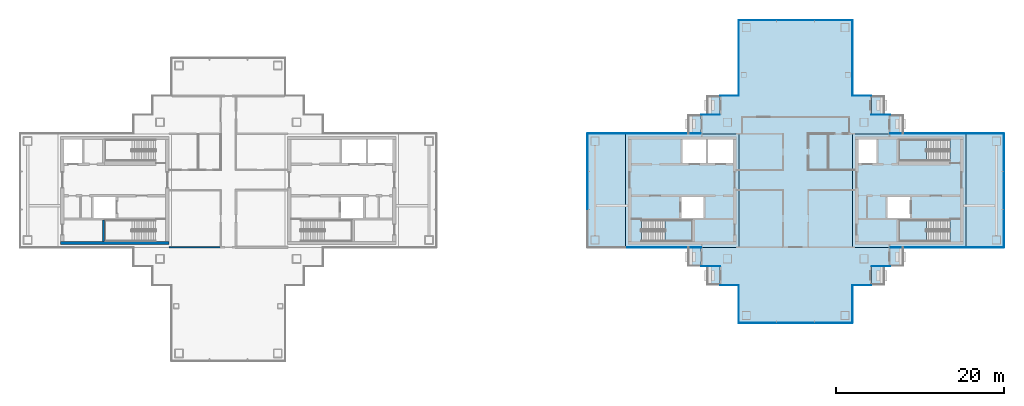
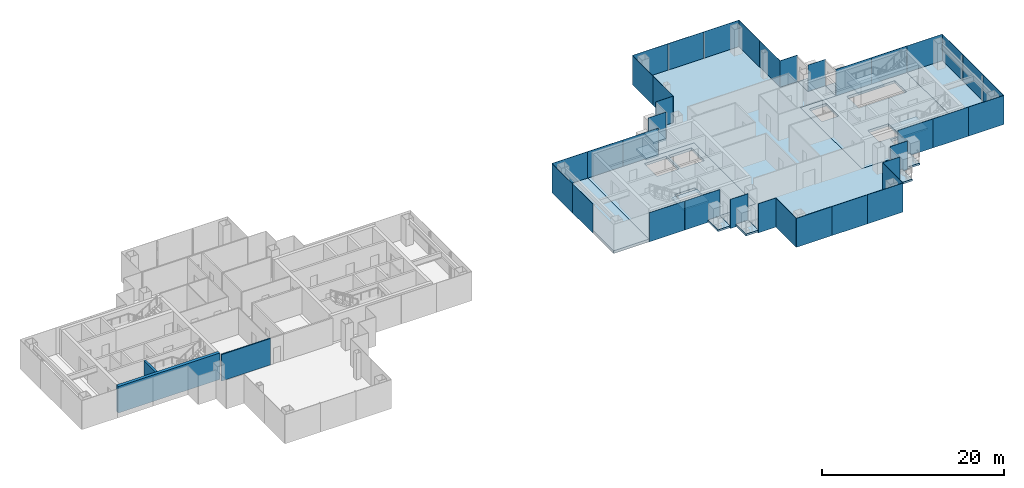
# One storey, part 8 of 16: 36 plates, 16 slabs, 3 walls, 22 elements without a shape of their own.
"""IFC4 building model written with IfcOpenShell, lengths in metres."""

from ifc_helpers import new_model, si_unit, direction, frame, frame_2d, origin, origin_2d, place, context, subcontext, project, spatial, polyline, rectangle, outline, extrude, material, layer, layer_set, type_object, element, aggregate, save


model = new_model("IFC4")

# Units and contexts
model_context = context("Model", 3, precision=1e-05, world=origin(), true_north=direction((0.0, 1.0)))
body_context = subcontext(model_context, "Body", "Model", "MODEL_VIEW")
ifc_project = project(units=[si_unit("LENGTHUNIT", "METRE"), si_unit("AREAUNIT", "SQUARE_METRE"), si_unit("VOLUMEUNIT", "CUBIC_METRE"), si_unit("PLANEANGLEUNIT", "RADIAN"), si_unit("MASSUNIT", "GRAM", prefix="KILO")], contexts=[model_context])

# Site, building, storey
site_placement = place(None, origin())
site = spatial("IfcSite", under=ifc_project, at=site_placement, CompositionType="ELEMENT")
building_placement = place(site_placement, origin())
building = spatial("IfcBuilding", under=site, at=building_placement, Name="Shamsa Quay Exchange Towers", CompositionType="ELEMENT")
storey_placement = place(building_placement, frame((0.0, 0.0, 210.0)))
storey = spatial("IfcBuildingStorey", under=building, at=storey_placement, Name="L50", CompositionType="ELEMENT", Elevation=210.0)

# Slabs
ifc_material_1 = material(Name="Precast concrete C40/50", Category="concrete")
ifc_layer_1 = layer(ifc_material_1, 0.25)
ifc_layer_set_1 = layer_set([ifc_layer_1], Name="BALCONY SLAB 250")
slab_type_1 = type_object("IfcSlabType", Name="BALCONY SLAB 250", PredefinedType="FLOOR", material=ifc_layer_set_1)
slab_1_placement = place(storey_placement, frame((0.0, 0.0, -0.25)))
element("IfcSlab", 1, at=slab_1_placement, inside=storey, type_object=slab_type_1, Name="Balcony T2-PKEN L50", PredefinedType="FLOOR", context=body_context, shape_type="SweptSolid", body=[
    extrude(outline(polyline([(24.75, 11.25), (24.75, 9.0380859375), (23.199951171875, 9.0380859375), (23.199951171875, 11.25), (24.75, 11.25)])), origin(), (0.0, 0.0, 1.0), 0.25),
])
slab_2_placement = place(storey_placement, frame((0.0, 0.0, -0.25)))
element("IfcSlab", 2, at=slab_2_placement, inside=storey, type_object=slab_type_1, Name="Balcony T2-PKEN L50", PredefinedType="FLOOR", context=body_context, shape_type="SweptSolid", body=[
    extrude(outline(polyline([(22.5, 9.0), (22.5, 6.7880859375), (20.949951171875, 6.7880859375), (20.949951171875, 9.0), (22.5, 9.0)])), origin(), (0.0, 0.0, 1.0), 0.25),
])
slab_3_placement = place(storey_placement, frame((0.0, 0.0, -0.25)))
element("IfcSlab", 3, at=slab_3_placement, inside=storey, type_object=slab_type_1, Name="Balcony T2-PKES L50", PredefinedType="FLOOR", context=body_context, shape_type="SweptSolid", body=[
    extrude(outline(polyline([(42.75, 9.0380859375), (42.75, 11.25), (44.300048828125, 11.25), (44.300048828125, 9.0380859375), (42.75, 9.0380859375)])), origin(), (0.0, 0.0, 1.0), 0.25),
])
slab_4_placement = place(storey_placement, frame((0.0, 0.0, -0.25)))
element("IfcSlab", 4, at=slab_4_placement, inside=storey, type_object=slab_type_1, Name="Balcony T2-PKES L50", PredefinedType="FLOOR", context=body_context, shape_type="SweptSolid", body=[
    extrude(outline(polyline([(45.0, 6.7880859375), (45.0, 9.0), (46.550048828125, 9.0), (46.550048828125, 6.7880859375), (45.0, 6.7880859375)])), origin(), (0.0, 0.0, 1.0), 0.25),
])
slab_5_placement = place(storey_placement, frame((0.0, 0.0, -0.25)))
element("IfcSlab", 5, at=slab_5_placement, inside=storey, type_object=slab_type_1, Name="Balcony T2-PKWN L50", PredefinedType="FLOOR", context=body_context, shape_type="SweptSolid", body=[
    extrude(outline(polyline([(22.5, -6.7880859375), (22.5, -9.0), (20.949951171875, -9.0), (20.949951171875, -6.7880859375), (22.5, -6.7880859375)])), origin(), (0.0, 0.0, 1.0), 0.25),
])
slab_6_placement = place(storey_placement, frame((0.0, 0.0, -0.25)))
element("IfcSlab", 6, at=slab_6_placement, inside=storey, type_object=slab_type_1, Name="Balcony T2-PKWN L50", PredefinedType="FLOOR", context=body_context, shape_type="SweptSolid", body=[
    extrude(outline(polyline([(24.75, -9.0380859375), (24.75, -11.25), (23.199951171875, -11.25), (23.199951171875, -9.0380859375), (24.75, -9.0380859375)])), origin(), (0.0, 0.0, 1.0), 0.25),
])
slab_7_placement = place(storey_placement, frame((0.0, 0.0, -0.25)))
element("IfcSlab", 7, at=slab_7_placement, inside=storey, type_object=slab_type_1, Name="Balcony T2-PKWS L50", PredefinedType="FLOOR", context=body_context, shape_type="SweptSolid", body=[
    extrude(outline(polyline([(42.75, -11.25), (42.75, -9.0380859375), (44.300048828125, -9.0380859375), (44.300048828125, -11.25), (42.75, -11.25)])), origin(), (0.0, 0.0, 1.0), 0.25),
])
slab_8_placement = place(storey_placement, frame((0.0, 0.0, -0.25)))
element("IfcSlab", 8, at=slab_8_placement, inside=storey, type_object=slab_type_1, Name="Balcony T2-PKWS L50", PredefinedType="FLOOR", context=body_context, shape_type="SweptSolid", body=[
    extrude(outline(polyline([(45.0, -9.0), (45.0, -6.7880859375), (46.550048828125, -6.7880859375), (46.550048828125, -9.0), (45.0, -9.0)])), origin(), (0.0, 0.0, 1.0), 0.25),
])
ifc_material_2 = material(Name="Concrete C50/60", Category="concrete")
ifc_layer_2 = layer(ifc_material_2, 0.35009765625)
ifc_layer_set_2 = layer_set([ifc_layer_2], Name="CORE FLOOR 350 C50/60")
slab_type_2 = type_object("IfcSlabType", Name="CORE FLOOR 350 C50/60", PredefinedType="FLOOR", material=ifc_layer_set_2)
slab_9_placement = place(storey_placement, frame((0.0, 0.0, -0.35009765625)))
element("IfcSlab", 9, at=slab_9_placement, inside=storey, type_object=slab_type_2, Name="Core floor T2A", PredefinedType="FLOOR", context=body_context, shape_type="SweptSolid", body=[
    extrude(outline(polyline([(13.5, -6.75), (27.0, -6.75), (27.0, 6.75), (13.5, 6.75), (13.5, -6.75)]), holes=[polyline([(15.400634765625, -6.050048828125), (15.400634765625, -3.5), (21.5, -3.5), (21.5, -6.050048828125), (15.400634765625, -6.050048828125)]), polyline([(20.300048828125, 3.25), (20.300048828125, 6.050048828125), (23.10009765625, 6.050048828125), (23.10009765625, 3.25), (20.300048828125, 3.25)]), polyline([(23.35009765625, 3.25), (23.35009765625, 6.050048828125), (26.300048828125, 6.050048828125), (26.300048828125, 3.25), (23.35009765625, 3.25)]), polyline([(20.14990234375, -3.25), (20.14990234375, -0.75), (22.800048828125, -0.75), (22.800048828125, -3.25), (20.14990234375, -3.25)])]), origin(), (0.0, 0.0, 1.0), 0.35009765625),
])
slab_10_placement = place(storey_placement, frame((0.0, 0.0, -0.35009765625)))
element("IfcSlab", 10, at=slab_10_placement, inside=storey, type_object=slab_type_2, Name="Core floor T2B", PredefinedType="FLOOR", context=body_context, shape_type="SweptSolid", body=[
    extrude(outline(polyline([(54.0, -6.75), (54.0, 6.75), (40.5, 6.75), (40.5, -6.75), (54.0, -6.75)]), holes=[polyline([(52.099365234375, -3.5), (52.099365234375, -6.050048828125), (46.0, -6.050048828125), (46.0, -3.5), (52.099365234375, -3.5)]), polyline([(52.099365234375, 6.050048828125), (52.099365234375, 3.5), (46.0, 3.5), (46.0, 6.050048828125), (52.099365234375, 6.050048828125)]), polyline([(43.35009765625, 3.25), (41.199951171875, 3.25), (41.199951171875, 6.050048828125), (43.35009765625, 6.050048828125), (43.35009765625, 3.25)]), polyline([(47.35009765625, -3.25), (44.699951171875, -3.25), (44.699951171875, -0.75), (47.35009765625, -0.75), (47.35009765625, -3.25)])]), origin(), (0.0, 0.0, 1.0), 0.35009765625),
])

# Stair, slab
ifc_material_3 = material(Name="Concrete C40/50", Category="concrete")
stair_type = type_object("IfcStairType", Name="EXIT STAIR 22 RISERS 177 MM", PredefinedType="HALF_TURN_STAIR", material=ifc_material_3)
stair_1_placement = place(storey_placement, origin())
stair_1 = element("IfcStair", 11, at=stair_1_placement, inside=storey, type_object=stair_type, Name="L50 Exit stair ST4", PredefinedType="HALF_TURN_STAIR")
ifc_layer_3 = layer(ifc_material_3, 0.199951171875)
ifc_layer_set_3 = layer_set([ifc_layer_3], Name="CORE STAIR LANDING")
slab_type_3 = type_object("IfcSlabType", Name="CORE STAIR LANDING", PredefinedType="LANDING", material=ifc_layer_set_3)
slab_11_placement = place(storey_placement, frame((0.0, 0.0, 1.75)))
slab_11 = element("IfcSlab", 12, at=slab_11_placement, type_object=slab_type_3, Name="ST4 landing 1", PredefinedType="LANDING", context=body_context, shape_type="SweptSolid", body=[
    extrude(outline(polyline([(18.199951171875, -6.050048828125), (21.5, -6.050048828125), (21.5, -3.5), (18.199951171875, -3.5), (18.199951171875, -6.050048828125)])), origin(), (0.0, 0.0, 1.0), 0.199951171875),
])
aggregate(stair_1, [slab_11])

stair_2_placement = place(storey_placement, origin())
stair_2 = element("IfcStair", 13, at=stair_2_placement, inside=storey, type_object=stair_type, Name="L50 Exit stair ST5", PredefinedType="HALF_TURN_STAIR")
slab_12_placement = place(storey_placement, frame((0.0, 0.0, 1.75)))
slab_12 = element("IfcSlab", 14, at=slab_12_placement, type_object=slab_type_3, Name="ST5 landing 1", PredefinedType="LANDING", context=body_context, shape_type="SweptSolid", body=[
    extrude(outline(polyline([(49.300048828125, -3.5), (46.0, -3.5), (46.0, -6.050048828125), (49.300048828125, -6.050048828125), (49.300048828125, -3.5)])), origin(), (0.0, 0.0, 1.0), 0.199951171875),
])
aggregate(stair_2, [slab_12])

stair_3_placement = place(storey_placement, origin())
stair_3 = element("IfcStair", 15, at=stair_3_placement, inside=storey, type_object=stair_type, Name="L50 Exit stair ST6", PredefinedType="HALF_TURN_STAIR")
slab_13_placement = place(storey_placement, frame((0.0, 0.0, 1.75)))
slab_13 = element("IfcSlab", 16, at=slab_13_placement, type_object=slab_type_3, Name="ST6 landing 1", PredefinedType="LANDING", context=body_context, shape_type="SweptSolid", body=[
    extrude(outline(polyline([(49.300048828125, 6.050048828125), (46.0, 6.050048828125), (46.0, 3.5), (49.300048828125, 3.5), (49.300048828125, 6.050048828125)])), origin(), (0.0, 0.0, 1.0), 0.199951171875),
])
aggregate(stair_3, [slab_13])

# Curtain wall, plate
ifc_material_4 = material(Name="Aluminium EN AW-6063 T6, black anodised", Category="aluminium")
ifc_layer_4 = layer(ifc_material_4, 0.280029296875)
ifc_layer_set_4 = layer_set([ifc_layer_4], Name="CW-1 UNITISED VISION GLASS")
curtain_wall_type_1 = type_object("IfcCurtainWallType", Name="CW-1 UNITISED VISION GLASS", PredefinedType="NOTDEFINED", material=ifc_layer_set_4)
curtain_wall_1_placement = place(storey_placement, origin())
curtain_wall_1 = element("IfcCurtainWall", 17, at=curtain_wall_1_placement, inside=storey, type_object=curtain_wall_type_1, Name="CW1 T2-FLK-V-W L50", PredefinedType="NOTDEFINED")
ifc_material_5 = material(Name="Glass, laminated, dark tinted", Category="glass")
ifc_layer_5 = layer(ifc_material_5, 0.0400390625)
ifc_layer_set_5 = layer_set([ifc_layer_5], Name="CW-1 VISION GLASS 40")
plate_type_1 = type_object("IfcPlateType", Name="CW-1 VISION GLASS 40", PredefinedType="CURTAIN_PANEL", material=ifc_layer_set_5)
plate_1_placement = place(storey_placement, frame((56.25, -6.77001953125, -0.349853515625)))
plate_1 = element("IfcPlate", 18, at=plate_1_placement, type_object=plate_type_1, Name="CW1 glass panel", PredefinedType="CURTAIN_PANEL", context=body_context, shape_type="SweptSolid", body=[
    extrude(rectangle(XDim=4.5, YDim=0.0400390625, at=origin_2d()), origin(), (0.0, 0.0, 1.0), 3.89990234375),
])
aggregate(curtain_wall_1, [plate_1])

# Curtain wall, plates
curtain_wall_2_placement = place(storey_placement, origin())
curtain_wall_2 = element("IfcCurtainWall", 19, at=curtain_wall_2_placement, inside=storey, type_object=curtain_wall_type_1, Name="CW1 T2-END-V- L50", PredefinedType="NOTDEFINED")
plate_2_placement = place(storey_placement, frame((58.52001953125, -4.50244140625, -0.349853515625), z_axis=(0.0, 0.0, 1.0), x_axis=(0.0, 1.0, 0.0)))
plate_2 = element("IfcPlate", 20, at=plate_2_placement, type_object=plate_type_1, Name="CW1 glass panel", PredefinedType="CURTAIN_PANEL", context=body_context, shape_type="SweptSolid", body=[
    extrude(rectangle(XDim=4.4951171875, YDim=0.0400390625, at=origin_2d()), origin(), (0.0, 0.0, 1.0), 3.89990234375),
])
plate_3_placement = place(storey_placement, frame((58.52001953125, 0.0, -0.349853515625), z_axis=(0.0, 0.0, 1.0), x_axis=(0.0, 1.0, 0.0)))
plate_3 = element("IfcPlate", 21, at=plate_3_placement, type_object=plate_type_1, Name="CW1 glass panel", PredefinedType="CURTAIN_PANEL", context=body_context, shape_type="SweptSolid", body=[
    extrude(rectangle(XDim=4.489990234375, YDim=0.0400390625, at=origin_2d()), origin(), (0.0, 0.0, 1.0), 3.89990234375),
])
plate_4_placement = place(storey_placement, frame((58.52001953125, 4.50244140625, -0.349853515625), z_axis=(0.0, 0.0, 1.0), x_axis=(0.0, 1.0, 0.0)))
plate_4 = element("IfcPlate", 22, at=plate_4_placement, type_object=plate_type_1, Name="CW1 glass panel", PredefinedType="CURTAIN_PANEL", context=body_context, shape_type="SweptSolid", body=[
    extrude(rectangle(XDim=4.4951171875, YDim=0.0400390625, at=origin_2d()), origin(), (0.0, 0.0, 1.0), 3.89990234375),
])
aggregate(curtain_wall_2, [plate_2, plate_3, plate_4])

# Curtain wall, plate
curtain_wall_3_placement = place(storey_placement, origin())
curtain_wall_3 = element("IfcCurtainWall", 23, at=curtain_wall_3_placement, inside=storey, type_object=curtain_wall_type_1, Name="CW1 T2-FLK-V-E L50", PredefinedType="NOTDEFINED")
plate_5_placement = place(storey_placement, frame((56.25, 6.77001953125, -0.349853515625), z_axis=(0.0, 0.0, 1.0), x_axis=(-1.0, 0.0, 0.0)))
plate_5 = element("IfcPlate", 24, at=plate_5_placement, type_object=plate_type_1, Name="CW1 glass panel", PredefinedType="CURTAIN_PANEL", context=body_context, shape_type="SweptSolid", body=[
    extrude(rectangle(XDim=4.5, YDim=0.0400390625, at=origin_2d()), origin(), (0.0, 0.0, 1.0), 3.89990234375),
])
aggregate(curtain_wall_3, [plate_5])

# Curtain wall, plates
curtain_wall_4_placement = place(storey_placement, origin())
curtain_wall_4 = element("IfcCurtainWall", 25, at=curtain_wall_4_placement, inside=storey, type_object=curtain_wall_type_1, Name="CW1 T2-FLK-U+S L50", PredefinedType="NOTDEFINED")
plate_6_placement = place(storey_placement, frame((40.52001953125, 13.52587890625, -0.349853515625), z_axis=(0.0, 0.0, 1.0), x_axis=(0.0, 1.0, 0.0)))
plate_6 = element("IfcPlate", 26, at=plate_6_placement, type_object=plate_type_1, Name="CW1 glass panel", PredefinedType="CURTAIN_PANEL", context=body_context, shape_type="SweptSolid", body=[
    extrude(rectangle(XDim=4.47607421875, YDim=0.0400390625, at=origin_2d()), origin(), (0.0, 0.0, 1.0), 3.89990234375),
])
plate_7_placement = place(storey_placement, frame((40.52001953125, 18.011962890625, -0.349853515625), z_axis=(0.0, 0.0, 1.0), x_axis=(0.0, 1.0, 0.0)))
plate_7 = element("IfcPlate", 27, at=plate_7_placement, type_object=plate_type_1, Name="CW1 glass panel", PredefinedType="CURTAIN_PANEL", context=body_context, shape_type="SweptSolid", body=[
    extrude(rectangle(XDim=4.47607421875, YDim=0.0400390625, at=origin_2d()), origin(), (0.0, 0.0, 1.0), 3.89990234375),
])
aggregate(curtain_wall_4, [plate_6, plate_7])

curtain_wall_5_placement = place(storey_placement, origin())
curtain_wall_5 = element("IfcCurtainWall", 28, at=curtain_wall_5_placement, inside=storey, type_object=curtain_wall_type_1, Name="CW1 T2-END-U+ L50", PredefinedType="NOTDEFINED")
plate_8_placement = place(storey_placement, frame((38.25244140625, 20.27001953125, -0.349853515625), z_axis=(0.0, 0.0, 1.0), x_axis=(-1.0, 0.0, 0.0)))
plate_8 = element("IfcPlate", 29, at=plate_8_placement, type_object=plate_type_1, Name="CW1 glass panel", PredefinedType="CURTAIN_PANEL", context=body_context, shape_type="SweptSolid", body=[
    extrude(rectangle(XDim=4.4951171875, YDim=0.0400390625, at=origin_2d()), origin(), (0.0, 0.0, 1.0), 3.89990234375),
])
plate_9_placement = place(storey_placement, frame((33.75, 20.27001953125, -0.349853515625), z_axis=(0.0, 0.0, 1.0), x_axis=(-1.0, 0.0, 0.0)))
plate_9 = element("IfcPlate", 30, at=plate_9_placement, type_object=plate_type_1, Name="CW1 glass panel", PredefinedType="CURTAIN_PANEL", context=body_context, shape_type="SweptSolid", body=[
    extrude(rectangle(XDim=4.489990234375, YDim=0.0400390625, at=origin_2d()), origin(), (0.0, 0.0, 1.0), 3.89990234375),
])
plate_10_placement = place(storey_placement, frame((29.24755859375, 20.27001953125, -0.349853515625), z_axis=(0.0, 0.0, 1.0), x_axis=(-1.0, 0.0, 0.0)))
plate_10 = element("IfcPlate", 31, at=plate_10_placement, type_object=plate_type_1, Name="CW1 glass panel", PredefinedType="CURTAIN_PANEL", context=body_context, shape_type="SweptSolid", body=[
    extrude(rectangle(XDim=4.4951171875, YDim=0.0400390625, at=origin_2d()), origin(), (0.0, 0.0, 1.0), 3.89990234375),
])
aggregate(curtain_wall_5, [plate_8, plate_9, plate_10])

curtain_wall_6_placement = place(storey_placement, origin())
curtain_wall_6 = element("IfcCurtainWall", 32, at=curtain_wall_6_placement, inside=storey, type_object=curtain_wall_type_1, Name="CW1 T2-FLK-U+N L50", PredefinedType="NOTDEFINED")
plate_11_placement = place(storey_placement, frame((26.97998046875, 18.00244140625, -0.349853515625), z_axis=(0.0, 0.0, 1.0), x_axis=(0.0, -1.0, 0.0)))
plate_11 = element("IfcPlate", 33, at=plate_11_placement, type_object=plate_type_1, Name="CW1 glass panel", PredefinedType="CURTAIN_PANEL", context=body_context, shape_type="SweptSolid", body=[
    extrude(rectangle(XDim=4.4951171875, YDim=0.0400390625, at=origin_2d()), origin(), (0.0, 0.0, 1.0), 3.89990234375),
])
plate_12_placement = place(storey_placement, frame((26.97998046875, 13.49755859375, -0.349853515625), z_axis=(0.0, 0.0, 1.0), x_axis=(0.0, -1.0, 0.0)))
plate_12 = element("IfcPlate", 34, at=plate_12_placement, type_object=plate_type_1, Name="CW1 glass panel", PredefinedType="CURTAIN_PANEL", context=body_context, shape_type="SweptSolid", body=[
    extrude(rectangle(XDim=4.4951171875, YDim=0.0400390625, at=origin_2d()), origin(), (0.0, 0.0, 1.0), 3.89990234375),
])
aggregate(curtain_wall_6, [plate_11, plate_12])

# Curtain wall, plate
curtain_wall_7_placement = place(storey_placement, origin())
curtain_wall_7 = element("IfcCurtainWall", 35, at=curtain_wall_7_placement, inside=storey, type_object=curtain_wall_type_1, Name="CW1 T2-FLK-V+E L50", PredefinedType="NOTDEFINED")
plate_13_placement = place(storey_placement, frame((11.25, 6.77001953125, -0.349853515625), z_axis=(0.0, 0.0, 1.0), x_axis=(-1.0, 0.0, 0.0)))
plate_13 = element("IfcPlate", 36, at=plate_13_placement, type_object=plate_type_1, Name="CW1 glass panel", PredefinedType="CURTAIN_PANEL", context=body_context, shape_type="SweptSolid", body=[
    extrude(rectangle(XDim=4.5, YDim=0.0400390625, at=origin_2d()), origin(), (0.0, 0.0, 1.0), 3.89990234375),
])
aggregate(curtain_wall_7, [plate_13])

# Curtain wall, plates
curtain_wall_8_placement = place(storey_placement, origin())
curtain_wall_8 = element("IfcCurtainWall", 37, at=curtain_wall_8_placement, inside=storey, type_object=curtain_wall_type_1, Name="CW1 T2-END-V+ L50", PredefinedType="NOTDEFINED")
plate_14_placement = place(storey_placement, frame((8.97998046875, 4.50244140625, -0.349853515625), z_axis=(0.0, 0.0, 1.0), x_axis=(0.0, -1.0, 0.0)))
plate_14 = element("IfcPlate", 38, at=plate_14_placement, type_object=plate_type_1, Name="CW1 glass panel", PredefinedType="CURTAIN_PANEL", context=body_context, shape_type="SweptSolid", body=[
    extrude(rectangle(XDim=4.4951171875, YDim=0.0400390625, at=origin_2d()), origin(), (0.0, 0.0, 1.0), 3.89990234375),
])
plate_15_placement = place(storey_placement, frame((8.97998046875, 0.0, -0.349853515625), z_axis=(0.0, 0.0, 1.0), x_axis=(0.0, -1.0, 0.0)))
plate_15 = element("IfcPlate", 39, at=plate_15_placement, type_object=plate_type_1, Name="CW1 glass panel", PredefinedType="CURTAIN_PANEL", context=body_context, shape_type="SweptSolid", body=[
    extrude(rectangle(XDim=4.489990234375, YDim=0.0400390625, at=origin_2d()), origin(), (0.0, 0.0, 1.0), 3.89990234375),
])
aggregate(curtain_wall_8, [plate_14, plate_15])

# Curtain wall, plate
curtain_wall_9_placement = place(storey_placement, origin())
curtain_wall_9 = element("IfcCurtainWall", 40, at=curtain_wall_9_placement, inside=storey, type_object=curtain_wall_type_1, Name="CW1 T2-FLK-U-N L50", PredefinedType="NOTDEFINED")
plate_16_placement = place(storey_placement, frame((26.97998046875, -13.51904296875, -0.349853515625), z_axis=(0.0, 0.0, 1.0), x_axis=(0.0, -1.0, 0.0)))
plate_16 = element("IfcPlate", 41, at=plate_16_placement, type_object=plate_type_1, Name="CW1 glass panel", PredefinedType="CURTAIN_PANEL", context=body_context, shape_type="SweptSolid", body=[
    extrude(rectangle(XDim=4.4619140625, YDim=0.0400390625, at=origin_2d()), origin(), (0.0, 0.0, 1.0), 3.89990234375),
])
aggregate(curtain_wall_9, [plate_16])

# Curtain wall, plates
curtain_wall_10_placement = place(storey_placement, origin())
curtain_wall_10 = element("IfcCurtainWall", 42, at=curtain_wall_10_placement, inside=storey, type_object=curtain_wall_type_1, Name="CW1 T2-END-U- L50", PredefinedType="NOTDEFINED")
plate_17_placement = place(storey_placement, frame((29.24755859375, -15.77001953125, -0.349853515625)))
plate_17 = element("IfcPlate", 43, at=plate_17_placement, type_object=plate_type_1, Name="CW1 glass panel", PredefinedType="CURTAIN_PANEL", context=body_context, shape_type="SweptSolid", body=[
    extrude(rectangle(XDim=4.4951171875, YDim=0.0400390625, at=origin_2d()), origin(), (0.0, 0.0, 1.0), 3.89990234375),
])
plate_18_placement = place(storey_placement, frame((33.75, -15.77001953125, -0.349853515625)))
plate_18 = element("IfcPlate", 44, at=plate_18_placement, type_object=plate_type_1, Name="CW1 glass panel", PredefinedType="CURTAIN_PANEL", context=body_context, shape_type="SweptSolid", body=[
    extrude(rectangle(XDim=4.489990234375, YDim=0.0400390625, at=origin_2d()), origin(), (0.0, 0.0, 1.0), 3.89990234375),
])
plate_19_placement = place(storey_placement, frame((38.25244140625, -15.77001953125, -0.349853515625)))
plate_19 = element("IfcPlate", 45, at=plate_19_placement, type_object=plate_type_1, Name="CW1 glass panel", PredefinedType="CURTAIN_PANEL", context=body_context, shape_type="SweptSolid", body=[
    extrude(rectangle(XDim=4.4951171875, YDim=0.0400390625, at=origin_2d()), origin(), (0.0, 0.0, 1.0), 3.89990234375),
])
aggregate(curtain_wall_10, [plate_17, plate_18, plate_19])

# Curtain wall, plate
curtain_wall_11_placement = place(storey_placement, origin())
curtain_wall_11 = element("IfcCurtainWall", 46, at=curtain_wall_11_placement, inside=storey, type_object=curtain_wall_type_1, Name="CW1 T2-FLK-U-S L50", PredefinedType="NOTDEFINED")
plate_20_placement = place(storey_placement, frame((40.52001953125, -13.5, -0.349853515625), z_axis=(0.0, 0.0, 1.0), x_axis=(0.0, 1.0, 0.0)))
plate_20 = element("IfcPlate", 47, at=plate_20_placement, type_object=plate_type_1, Name="CW1 glass panel", PredefinedType="CURTAIN_PANEL", context=body_context, shape_type="SweptSolid", body=[
    extrude(rectangle(XDim=4.5, YDim=0.0400390625, at=origin_2d()), origin(), (0.0, 0.0, 1.0), 3.89990234375),
])
aggregate(curtain_wall_11, [plate_20])

# Curtain wall, plates
ifc_layer_6 = layer(ifc_material_4, 0.303955078125)
ifc_layer_set_6 = layer_set([ifc_layer_6], Name="CW-2 UNITISED OPAQUE SPANDREL GLASS")
curtain_wall_type_2 = type_object("IfcCurtainWallType", Name="CW-2 UNITISED OPAQUE SPANDREL GLASS", PredefinedType="NOTDEFINED", material=ifc_layer_set_6)
curtain_wall_12_placement = place(storey_placement, origin())
curtain_wall_12 = element("IfcCurtainWall", 48, at=curtain_wall_12_placement, inside=storey, type_object=curtain_wall_type_2, Name="CW2 T2-FLK-V-W L50", PredefinedType="NOTDEFINED")
ifc_material_6 = material(Name="Glass, laminated, black enamelled opaque", Category="glass")
ifc_layer_7 = layer(ifc_material_6, 0.0439453125)
ifc_layer_set_7 = layer_set([ifc_layer_7], Name="CW-2 SPANDREL GLASS 44")
plate_type_2 = type_object("IfcPlateType", Name="CW-2 SPANDREL GLASS 44", PredefinedType="CURTAIN_PANEL", material=ifc_layer_set_7)
plate_21_placement = place(storey_placement, frame((47.27587890625, -6.77197265625, -0.349853515625)))
plate_21 = element("IfcPlate", 49, at=plate_21_placement, type_object=plate_type_2, Name="CW2 glass panel", PredefinedType="CURTAIN_PANEL", context=body_context, shape_type="SweptSolid", body=[
    extrude(rectangle(XDim=4.47607421875, YDim=0.0439453125, at=origin_2d()), origin(), (0.0, 0.0, 1.0), 3.89990234375),
])
plate_22_placement = place(storey_placement, frame((51.761962890625, -6.77197265625, -0.349853515625)))
plate_22 = element("IfcPlate", 50, at=plate_22_placement, type_object=plate_type_2, Name="CW2 glass panel", PredefinedType="CURTAIN_PANEL", context=body_context, shape_type="SweptSolid", body=[
    extrude(rectangle(XDim=4.47607421875, YDim=0.0439453125, at=origin_2d()), origin(), (0.0, 0.0, 1.0), 3.89990234375),
])
aggregate(curtain_wall_12, [plate_21, plate_22])

curtain_wall_13_placement = place(storey_placement, origin())
curtain_wall_13 = element("IfcCurtainWall", 51, at=curtain_wall_13_placement, inside=storey, type_object=curtain_wall_type_2, Name="CW2 T2-FLK-V-E L50", PredefinedType="NOTDEFINED")
plate_23_placement = place(storey_placement, frame((51.75244140625, 6.77197265625, -0.349853515625), z_axis=(0.0, 0.0, 1.0), x_axis=(-1.0, 0.0, 0.0)))
plate_23 = element("IfcPlate", 52, at=plate_23_placement, type_object=plate_type_2, Name="CW2 glass panel", PredefinedType="CURTAIN_PANEL", context=body_context, shape_type="SweptSolid", body=[
    extrude(rectangle(XDim=4.4951171875, YDim=0.0439453125, at=origin_2d()), origin(), (0.0, 0.0, 1.0), 3.89990234375),
])
plate_24_placement = place(storey_placement, frame((47.24755859375, 6.77197265625, -0.349853515625), z_axis=(0.0, 0.0, 1.0), x_axis=(-1.0, 0.0, 0.0)))
plate_24 = element("IfcPlate", 53, at=plate_24_placement, type_object=plate_type_2, Name="CW2 glass panel", PredefinedType="CURTAIN_PANEL", context=body_context, shape_type="SweptSolid", body=[
    extrude(rectangle(XDim=4.4951171875, YDim=0.0439453125, at=origin_2d()), origin(), (0.0, 0.0, 1.0), 3.89990234375),
])
aggregate(curtain_wall_13, [plate_23, plate_24])

curtain_wall_14_placement = place(storey_placement, origin())
curtain_wall_14 = element("IfcCurtainWall", 54, at=curtain_wall_14_placement, inside=storey, type_object=curtain_wall_type_2, Name="CW2 T2-FLK-V+E L50", PredefinedType="NOTDEFINED")
plate_25_placement = place(storey_placement, frame((20.22412109375, 6.77197265625, -0.349853515625), z_axis=(0.0, 0.0, 1.0), x_axis=(-1.0, 0.0, 0.0)))
plate_25 = element("IfcPlate", 55, at=plate_25_placement, type_object=plate_type_2, Name="CW2 glass panel", PredefinedType="CURTAIN_PANEL", context=body_context, shape_type="SweptSolid", body=[
    extrude(rectangle(XDim=4.47607421875, YDim=0.0439453125, at=origin_2d()), origin(), (0.0, 0.0, 1.0), 3.89990234375),
])
plate_26_placement = place(storey_placement, frame((15.738037109375, 6.77197265625, -0.349853515625), z_axis=(0.0, 0.0, 1.0), x_axis=(-1.0, 0.0, 0.0)))
plate_26 = element("IfcPlate", 56, at=plate_26_placement, type_object=plate_type_2, Name="CW2 glass panel", PredefinedType="CURTAIN_PANEL", context=body_context, shape_type="SweptSolid", body=[
    extrude(rectangle(XDim=4.47607421875, YDim=0.0439453125, at=origin_2d()), origin(), (0.0, 0.0, 1.0), 3.89990234375),
])
aggregate(curtain_wall_14, [plate_25, plate_26])

curtain_wall_15_placement = place(storey_placement, origin())
curtain_wall_15 = element("IfcCurtainWall", 57, at=curtain_wall_15_placement, inside=storey, type_object=curtain_wall_type_2, Name="CW2 T2-FLK-V+W L50", PredefinedType="NOTDEFINED")
plate_27_placement = place(storey_placement, frame((15.74755859375, -6.77197265625, -0.349853515625)))
plate_27 = element("IfcPlate", 58, at=plate_27_placement, type_object=plate_type_2, Name="CW2 glass panel", PredefinedType="CURTAIN_PANEL", context=body_context, shape_type="SweptSolid", body=[
    extrude(rectangle(XDim=4.4951171875, YDim=0.0439453125, at=origin_2d()), origin(), (0.0, 0.0, 1.0), 3.89990234375),
])
plate_28_placement = place(storey_placement, frame((20.25244140625, -6.77197265625, -0.349853515625)))
plate_28 = element("IfcPlate", 59, at=plate_28_placement, type_object=plate_type_2, Name="CW2 glass panel", PredefinedType="CURTAIN_PANEL", context=body_context, shape_type="SweptSolid", body=[
    extrude(rectangle(XDim=4.4951171875, YDim=0.0439453125, at=origin_2d()), origin(), (0.0, 0.0, 1.0), 3.89990234375),
])
aggregate(curtain_wall_15, [plate_27, plate_28])

ifc_layer_8 = layer(ifc_material_4, 0.256103515625)
ifc_layer_set_8 = layer_set([ifc_layer_8], Name="CW-4 POCKET SERRATED GLAZING")
curtain_wall_type_3 = type_object("IfcCurtainWallType", Name="CW-4 POCKET SERRATED GLAZING", PredefinedType="NOTDEFINED", material=ifc_layer_set_8)
curtain_wall_16_placement = place(storey_placement, origin())
curtain_wall_16 = element("IfcCurtainWall", 60, at=curtain_wall_16_placement, inside=storey, type_object=curtain_wall_type_3, Name="CW4 PKWS L50", PredefinedType="NOTDEFINED")
ifc_layer_9 = layer(ifc_material_5, 0.035888671875)
ifc_layer_set_9 = layer_set([ifc_layer_9], Name="CW-4 POCKET GLASS 36")
plate_type_3 = type_object("IfcPlateType", Name="CW-4 POCKET GLASS 36", PredefinedType="CURTAIN_PANEL", material=ifc_layer_set_9)
plate_29_placement = place(storey_placement, frame((43.89404296875, -9.01806640625, -0.349853515625)))
plate_29 = element("IfcPlate", 61, at=plate_29_placement, type_object=plate_type_3, Name="CW4 glass panel", PredefinedType="CURTAIN_PANEL", context=body_context, shape_type="SweptSolid", body=[
    extrude(rectangle(XDim=2.2119140625, YDim=0.035888671875, at=origin_2d()), origin(), (0.0, 0.0, 1.0), 3.89990234375),
])
plate_30_placement = place(storey_placement, frame((41.64599609375, -11.26806640625, -0.349853515625)))
plate_30 = element("IfcPlate", 62, at=plate_30_placement, type_object=plate_type_3, Name="CW4 glass panel", PredefinedType="CURTAIN_PANEL", context=body_context, shape_type="SweptSolid", body=[
    extrude(rectangle(XDim=2.2080078125, YDim=0.035888671875, at=origin_2d()), origin(), (0.0, 0.0, 1.0), 3.89990234375),
])
aggregate(curtain_wall_16, [plate_29, plate_30])

curtain_wall_17_placement = place(storey_placement, origin())
curtain_wall_17 = element("IfcCurtainWall", 63, at=curtain_wall_17_placement, inside=storey, type_object=curtain_wall_type_3, Name="CW4 PKES L50", PredefinedType="NOTDEFINED")
plate_31_placement = place(storey_placement, frame((43.875, 9.01806640625, -0.349853515625), z_axis=(0.0, 0.0, 1.0), x_axis=(-1.0, 0.0, 0.0)))
plate_31 = element("IfcPlate", 64, at=plate_31_placement, type_object=plate_type_3, Name="CW4 glass panel", PredefinedType="CURTAIN_PANEL", context=body_context, shape_type="SweptSolid", body=[
    extrude(rectangle(XDim=2.25, YDim=0.035888671875, at=origin_2d()), origin(), (0.0, 0.0, 1.0), 3.89990234375),
])
plate_32_placement = place(storey_placement, frame((41.625, 11.26806640625, -0.349853515625), z_axis=(0.0, 0.0, 1.0), x_axis=(-1.0, 0.0, 0.0)))
plate_32 = element("IfcPlate", 65, at=plate_32_placement, type_object=plate_type_3, Name="CW4 glass panel", PredefinedType="CURTAIN_PANEL", context=body_context, shape_type="SweptSolid", body=[
    extrude(rectangle(XDim=2.25, YDim=0.035888671875, at=origin_2d()), origin(), (0.0, 0.0, 1.0), 3.89990234375),
])
aggregate(curtain_wall_17, [plate_31, plate_32])

curtain_wall_18_placement = place(storey_placement, origin())
curtain_wall_18 = element("IfcCurtainWall", 66, at=curtain_wall_18_placement, inside=storey, type_object=curtain_wall_type_3, Name="CW4 PKEN L50", PredefinedType="NOTDEFINED")
plate_33_placement = place(storey_placement, frame((25.85400390625, 11.26806640625, -0.349853515625), z_axis=(0.0, 0.0, 1.0), x_axis=(-1.0, 0.0, 0.0)))
plate_33 = element("IfcPlate", 67, at=plate_33_placement, type_object=plate_type_3, Name="CW4 glass panel", PredefinedType="CURTAIN_PANEL", context=body_context, shape_type="SweptSolid", body=[
    extrude(rectangle(XDim=2.2080078125, YDim=0.035888671875, at=origin_2d()), origin(), (0.0, 0.0, 1.0), 3.89990234375),
])
plate_34_placement = place(storey_placement, frame((23.60595703125, 9.01806640625, -0.349853515625), z_axis=(0.0, 0.0, 1.0), x_axis=(-1.0, 0.0, 0.0)))
plate_34 = element("IfcPlate", 68, at=plate_34_placement, type_object=plate_type_3, Name="CW4 glass panel", PredefinedType="CURTAIN_PANEL", context=body_context, shape_type="SweptSolid", body=[
    extrude(rectangle(XDim=2.2119140625, YDim=0.035888671875, at=origin_2d()), origin(), (0.0, 0.0, 1.0), 3.89990234375),
])
aggregate(curtain_wall_18, [plate_33, plate_34])

curtain_wall_19_placement = place(storey_placement, origin())
curtain_wall_19 = element("IfcCurtainWall", 69, at=curtain_wall_19_placement, inside=storey, type_object=curtain_wall_type_3, Name="CW4 PKWN L50", PredefinedType="NOTDEFINED")
plate_35_placement = place(storey_placement, frame((23.625, -9.01806640625, -0.349853515625)))
plate_35 = element("IfcPlate", 70, at=plate_35_placement, type_object=plate_type_3, Name="CW4 glass panel", PredefinedType="CURTAIN_PANEL", context=body_context, shape_type="SweptSolid", body=[
    extrude(rectangle(XDim=2.25, YDim=0.035888671875, at=origin_2d()), origin(), (0.0, 0.0, 1.0), 3.89990234375),
])
plate_36_placement = place(storey_placement, frame((25.875, -11.26806640625, -0.349853515625)))
plate_36 = element("IfcPlate", 71, at=plate_36_placement, type_object=plate_type_3, Name="CW4 glass panel", PredefinedType="CURTAIN_PANEL", context=body_context, shape_type="SweptSolid", body=[
    extrude(rectangle(XDim=2.25, YDim=0.035888671875, at=origin_2d()), origin(), (0.0, 0.0, 1.0), 3.89990234375),
])
aggregate(curtain_wall_19, [plate_35, plate_36])

# Slabs
ifc_layer_10 = layer(ifc_material_3, 0.35009765625)
ifc_layer_set_10 = layer_set([ifc_layer_10], Name="Flat slab 350")
slab_type_4 = type_object("IfcSlabType", Name="Flat slab 350", PredefinedType="FLOOR", material=ifc_layer_set_10)
slab_14_placement = place(storey_placement, frame((0.0, 0.0, -0.35009765625)))
element("IfcSlab", 72, at=slab_14_placement, inside=storey, type_object=slab_type_4, Name="Flat slab T2 L50 4", PredefinedType="FLOOR", context=body_context, shape_type="SweptSolid", body=[
    extrude(outline(polyline([(9.0, -6.75), (13.5, -6.75), (13.5, 6.75), (9.0, 6.75), (9.0, -6.75)])), origin(), (0.0, 0.0, 1.0), 0.35009765625),
])
slab_15_placement = place(storey_placement, frame((0.0, 0.0, -0.35009765625)))
element("IfcSlab", 73, at=slab_15_placement, inside=storey, type_object=slab_type_4, Name="Flat slab T2 L50 5", PredefinedType="FLOOR", context=body_context, shape_type="SweptSolid", body=[
    extrude(outline(polyline([(45.0, -9.0), (45.0, -6.75), (40.5, -6.75), (40.5, 6.75), (45.0, 6.75), (45.0, 9.0), (42.75, 9.0), (42.75, 11.25), (40.5, 11.25), (40.5, 20.25), (27.0, 20.25), (27.0, 11.25), (24.75, 11.25), (24.75, 9.0), (22.5, 9.0), (22.5, 6.75), (27.0, 6.75), (27.0, -6.75), (22.5, -6.75), (22.5, -9.0), (24.75, -9.0), (24.75, -11.25), (27.0, -11.25), (27.0, -15.75), (40.5, -15.75), (40.5, -11.25), (42.75, -11.25), (42.75, -9.0), (45.0, -9.0)])), origin(), (0.0, 0.0, 1.0), 0.35009765625),
])
slab_16_placement = place(storey_placement, frame((0.0, 0.0, -0.35009765625)))
element("IfcSlab", 74, at=slab_16_placement, inside=storey, type_object=slab_type_4, Name="Flat slab T2 L50 6", PredefinedType="FLOOR", context=body_context, shape_type="SweptSolid", body=[
    extrude(outline(polyline([(58.5, 6.75), (54.0, 6.75), (54.0, -6.75), (58.5, -6.75), (58.5, 6.75)])), origin(), (0.0, 0.0, 1.0), 0.35009765625),
])

# Walls
ifc_material_7 = material(Name="Concrete C60/75", Category="concrete")
ifc_layer_11 = layer(ifc_material_7, 0.39990234375)
ifc_layer_set_11 = layer_set([ifc_layer_11], Name="CORE WALL 400 C60/75")
wall_type_1 = type_object("IfcWallType", Name="CORE WALL 400 C60/75", PredefinedType="SHEAR", material=ifc_layer_set_11)
wall_1_placement = place(storey_placement, frame((-40.800048828125, -6.25, 0.0), z_axis=(0.0, 0.0, 1.0), x_axis=(-1.0, 0.0, 0.0)))
element("IfcWall", 75, at=wall_1_placement, inside=storey, type_object=wall_type_1, Name="Core wall T1B-R23-PS", PredefinedType="SHEAR", context=body_context, shape_type="SweptSolid", body=[
    extrude(rectangle(XDim=12.89990234375, YDim=0.39990234375, at=frame_2d((6.449951171875, 0.0))), origin(), (0.0, 0.0, 1.0), 3.550048828125),
])
ifc_material_8 = material(Name="Gypsum board partition on metal studs")
ifc_layer_12 = layer(ifc_material_8, 0.14990234375)
ifc_layer_set_12 = layer_set([ifc_layer_12], Name="Partition 150 mm EI 60")
wall_type_2 = type_object("IfcWallType", Name="Partition 150 mm EI 60", PredefinedType="PARTITIONING", material=ifc_layer_set_12)
wall_2_placement = place(storey_placement, frame((-40.800048828125, -6.75, 0.0)))
element("IfcWall", 76, at=wall_2_placement, inside=storey, type_object=wall_type_2, Name="Partition T1-R23-W17", PredefinedType="PARTITIONING", context=body_context, shape_type="SweptSolid", body=[
    extrude(rectangle(XDim=6.212158203125, YDim=0.14990234375, at=frame_2d((3.10595703125, 0.0))), origin(), (0.0, 0.0, 1.0), 3.550048828125),
])
ifc_layer_13 = layer(ifc_material_2, 0.25)
ifc_layer_set_13 = layer_set([ifc_layer_13], Name="SHAFT WALL 250 C50/60")
wall_type_3 = type_object("IfcWallType", Name="SHAFT WALL 250 C50/60", PredefinedType="SHEAR", material=ifc_layer_set_13)
wall_3_placement = place(storey_placement, frame((-48.625, -6.050048828125, 0.0), z_axis=(0.0, 0.0, 1.0), x_axis=(0.0, 1.0, 0.0)))
element("IfcWall", 77, at=wall_3_placement, inside=storey, type_object=wall_type_3, Name="Shaft wall T1B-R23-STF", PredefinedType="SHEAR", context=body_context, shape_type="SweptSolid", body=[
    extrude(rectangle(XDim=2.550048828125, YDim=0.25, at=frame_2d((1.27490234375, 0.0))), origin(), (0.0, 0.0, 1.0), 3.550048828125),
])

save(model, "model.ifc")
